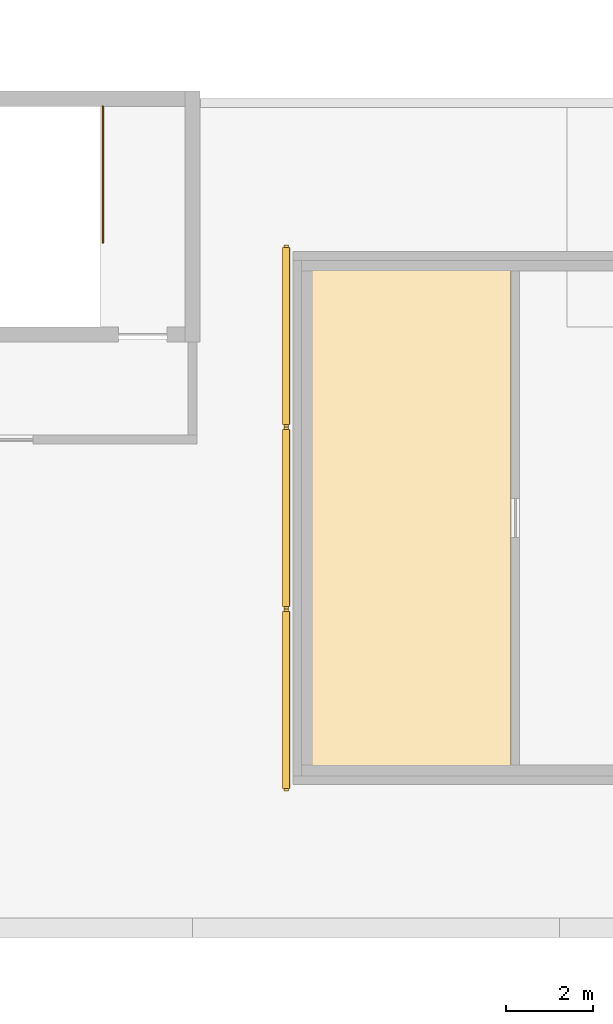
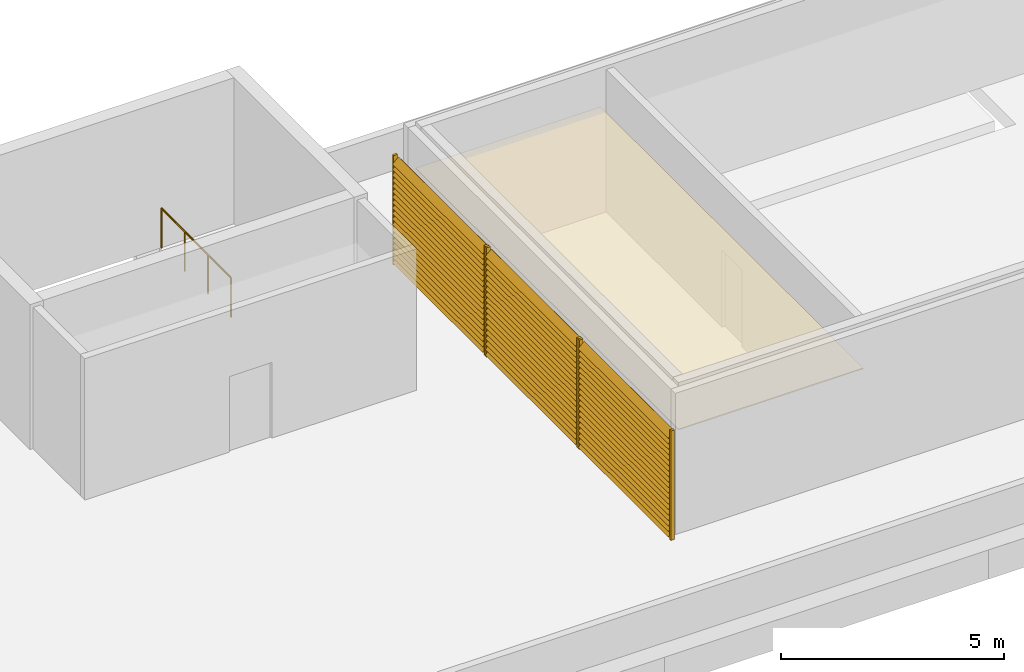
# One storey, part 8 of 13: 63 shading devices, 1 covering, 1 railing.
"""IFC4 building model written with IfcOpenShell, lengths in metres."""

from ifc_helpers import new_model, si_unit, direction, frame, origin, origin_2d, place, context, subcontext, project, spatial, polyline, rectangle, circle, outline, extrude, material, layer, layer_set, material_profile, profile_set, type_object, element, save


model = new_model("IFC4")

# Units and contexts
model_context = context("Model", 3, precision=1e-05, world=origin(), true_north=direction((0.0, 1.0)))
body_context = subcontext(model_context, "Body", "Model", "MODEL_VIEW")
ifc_project = project(units=[si_unit("LENGTHUNIT", "METRE"), si_unit("AREAUNIT", "SQUARE_METRE"), si_unit("VOLUMEUNIT", "CUBIC_METRE"), si_unit("PLANEANGLEUNIT", "RADIAN"), si_unit("MASSUNIT", "GRAM", prefix="KILO")], contexts=[model_context])

# Site, building, storey
site_placement = place(None, origin())
site = spatial("IfcSite", under=ifc_project, at=site_placement, CompositionType="ELEMENT")
building_placement = place(site_placement, origin())
building = spatial("IfcBuilding", under=site, at=building_placement, Name="Bougainvillea Quay General Hospital", CompositionType="ELEMENT")
storey_placement = place(building_placement, frame((0.0, 0.0, 36.60009765625)))
storey = spatial("IfcBuildingStorey", under=building, at=storey_placement, Name="L08", CompositionType="ELEMENT", Elevation=36.60009765625)

# Shading devices
ifc_material_1 = material(Name="Extruded aluminium louvre frame, powder-coated grey", Category="aluminium")
ifc_material_profile_1 = material_profile(ifc_material_1, rectangle(XDim=0.10009765625, YDim=0.06005859375, at=origin_2d()))
ifc_profile_set_1 = profile_set([ifc_material_profile_1], Name="Extruded aluminium louvre frame, powder-coated grey")
shading_device_type_1 = type_object("IfcShadingDeviceType", Name="Louvre frame post 100x60", PredefinedType="JALOUSIE", material=ifc_profile_set_1)
for number, where, z_axis, x_axis, name in (
    (1, (94.550048828125, 156.219970703125, 0.02978515625), (0.0, 0.0, 1.0), (1.0, 0.0, 0.0), "Louvre post V00.1"),
    (2, (94.550048828125, 152.11328125, 0.02978515625), (0.0, 0.0, 1.0), (1.0, 0.0, 0.0), "Louvre post V00.2"),
    (3, (94.550048828125, 152.05322265625, 0.02978515625), (0.0, 0.0, 1.0), (1.0, 0.0, 0.0), "Louvre post V01.1"),
    (4, (94.550048828125, 147.94677734375, 0.02978515625), (0.0, 0.0, 1.0), (1.0, 0.0, 0.0), "Louvre post V01.2"),
    (5, (94.550048828125, 147.88671875, 0.02978515625), (0.0, 0.0, 1.0), (1.0, 0.0, 0.0), "Louvre post V02.1"),
    (6, (94.550048828125, 143.780029296875, 0.02978515625), (0.0, 0.0, 1.0), (1.0, 0.0, 0.0), "Louvre post V02.2"),
):
    element("IfcShadingDevice", number, at=place(storey_placement, frame(where, z_axis=z_axis, x_axis=x_axis)), inside=storey, type_object=shading_device_type_1, Name=name, PredefinedType="JALOUSIE", context=body_context, shape_type="SweptSolid", body=[
        extrude(rectangle(XDim=0.10009765625, YDim=0.06005859375, at=origin_2d()), origin(), (0.0, 0.0, 1.0), 3.0),
    ])

# Railing
ifc_material_2 = material(Name="Stainless steel 304 balustrade", Category="steel")
railing_type = type_object("IfcRailingType", Name="Stair guard 1100", PredefinedType="GUARDRAIL", material=ifc_material_2)
railing_placement = place(storey_placement, frame((90.35009765625, 159.425048828125, 0.0)))
element("IfcRailing", 7, at=railing_placement, inside=storey, type_object=railing_type, Name="L08 ST-A2 top well guard 1", PredefinedType="GUARDRAIL", context=body_context, shape_type="SweptSolid", body=[
    extrude(circle(Radius=0.02392578125, at=origin_2d()), frame((0.0, 0.0, 1.076171875), z_axis=(0.0, -1.0, 0.0), x_axis=(1.0, 0.0, 0.0)), (0.0, 0.0, 1.0), 3.125),
    extrude(circle(Radius=0.02099609375, at=origin_2d()), origin(), (0.0, 0.0, 1.0), 1.052001953125),
    extrude(circle(Radius=0.02099609375, at=origin_2d()), frame((0.0, -1.041748046875, 0.0)), (0.0, 0.0, 1.0), 1.052001953125),
    extrude(circle(Radius=0.02099609375, at=origin_2d()), frame((0.0, -2.083251953125, 0.0)), (0.0, 0.0, 1.0), 1.052001953125),
    extrude(circle(Radius=0.02099609375, at=origin_2d()), frame((0.0, -3.125, 0.0)), (0.0, 0.0, 1.0), 1.052001953125),
])

# Shading devices
ifc_material_3 = material(Name="Extruded aluminium storm louvre blade, powder-coated grey", Category="aluminium")
ifc_material_profile_2 = material_profile(ifc_material_3, rectangle(XDim=0.219970703125, YDim=0.014892578125, at=origin_2d()))
ifc_profile_set_2 = profile_set([ifc_material_profile_2], Name="Extruded aluminium storm louvre blade, powder-coated grey")
shading_device_type_2 = type_object("IfcShadingDeviceType", Name="Storm louvre blade 220", PredefinedType="JALOUSIE", material=ifc_profile_set_2)
for number, where, z_axis, x_axis, name in (
    (8, (94.550048828125, 156.18994140625, 0.179931640625), (0.0, -1.0, 0.0), (0.707106781187, 0.0, 0.707106781187), "Storm louvre blade V00.1"),
    (9, (94.550048828125, 156.18994140625, 0.329833984375), (0.0, -1.0, 0.0), (0.707106781187, 0.0, 0.707106781187), "Storm louvre blade V00.2"),
    (10, (94.550048828125, 156.18994140625, 0.47998046875), (0.0, -1.0, 0.0), (0.707106781187, 0.0, 0.707106781187), "Storm louvre blade V00.3"),
    (11, (94.550048828125, 156.18994140625, 0.6298828125), (0.0, -1.0, 0.0), (0.707106781187, 0.0, 0.707106781187), "Storm louvre blade V00.4"),
    (12, (94.550048828125, 156.18994140625, 0.77978515625), (0.0, -1.0, 0.0), (0.707106781187, 0.0, 0.707106781187), "Storm louvre blade V00.5"),
    (13, (94.550048828125, 156.18994140625, 0.929931640625), (0.0, -1.0, 0.0), (0.707106781187, 0.0, 0.707106781187), "Storm louvre blade V00.6"),
    (14, (94.550048828125, 156.18994140625, 1.079833984375), (0.0, -1.0, 0.0), (0.707106781187, 0.0, 0.707106781187), "Storm louvre blade V00.7"),
    (15, (94.550048828125, 156.18994140625, 1.22998046875), (0.0, -1.0, 0.0), (0.707106781187, 0.0, 0.707106781187), "Storm louvre blade V00.8"),
    (16, (94.550048828125, 156.18994140625, 1.3798828125), (0.0, -1.0, 0.0), (0.707106781187, 0.0, 0.707106781187), "Storm louvre blade V00.9"),
    (17, (94.550048828125, 156.18994140625, 1.52978515625), (0.0, -1.0, 0.0), (0.707106781187, 0.0, 0.707106781187), "Storm louvre blade V00.10"),
    (18, (94.550048828125, 156.18994140625, 1.679931640625), (0.0, -1.0, 0.0), (0.707106781187, 0.0, 0.707106781187), "Storm louvre blade V00.11"),
    (19, (94.550048828125, 156.18994140625, 1.829833984375), (0.0, -1.0, 0.0), (0.707106781187, 0.0, 0.707106781187), "Storm louvre blade V00.12"),
    (20, (94.550048828125, 156.18994140625, 1.97998046875), (0.0, -1.0, 0.0), (0.707106781187, 0.0, 0.707106781187), "Storm louvre blade V00.13"),
    (21, (94.550048828125, 156.18994140625, 2.1298828125), (0.0, -1.0, 0.0), (0.707106781187, 0.0, 0.707106781187), "Storm louvre blade V00.14"),
    (22, (94.550048828125, 156.18994140625, 2.27978515625), (0.0, -1.0, 0.0), (0.707106781187, 0.0, 0.707106781187), "Storm louvre blade V00.15"),
    (23, (94.550048828125, 156.18994140625, 2.429931640625), (0.0, -1.0, 0.0), (0.707106781187, 0.0, 0.707106781187), "Storm louvre blade V00.16"),
    (24, (94.550048828125, 156.18994140625, 2.579833984375), (0.0, -1.0, 0.0), (0.707106781187, 0.0, 0.707106781187), "Storm louvre blade V00.17"),
    (25, (94.550048828125, 156.18994140625, 2.72998046875), (0.0, -1.0, 0.0), (0.707106781187, 0.0, 0.707106781187), "Storm louvre blade V00.18"),
    (26, (94.550048828125, 156.18994140625, 2.8798828125), (0.0, -1.0, 0.0), (0.707106781187, 0.0, 0.707106781187), "Storm louvre blade V00.19"),
):
    element("IfcShadingDevice", number, at=place(storey_placement, frame(where, z_axis=z_axis, x_axis=x_axis)), inside=storey, type_object=shading_device_type_2, Name=name, PredefinedType="JALOUSIE", context=body_context, shape_type="SweptSolid", body=[
        extrude(rectangle(XDim=0.219970703125, YDim=0.014892578125, at=origin_2d()), origin(), (0.0, 0.0, 1.0), 4.046630859375),
    ])
for number, where, z_axis, x_axis, name in (
    (27, (94.550048828125, 152.0234375, 0.179931640625), (0.0, -1.0, 0.0), (0.707106781187, 0.0, 0.707106781187), "Storm louvre blade V01.1"),
    (28, (94.550048828125, 152.0234375, 0.329833984375), (0.0, -1.0, 0.0), (0.707106781187, 0.0, 0.707106781187), "Storm louvre blade V01.2"),
    (29, (94.550048828125, 152.0234375, 0.47998046875), (0.0, -1.0, 0.0), (0.707106781187, 0.0, 0.707106781187), "Storm louvre blade V01.3"),
    (30, (94.550048828125, 152.0234375, 0.6298828125), (0.0, -1.0, 0.0), (0.707106781187, 0.0, 0.707106781187), "Storm louvre blade V01.4"),
    (31, (94.550048828125, 152.0234375, 0.77978515625), (0.0, -1.0, 0.0), (0.707106781187, 0.0, 0.707106781187), "Storm louvre blade V01.5"),
    (32, (94.550048828125, 152.0234375, 0.929931640625), (0.0, -1.0, 0.0), (0.707106781187, 0.0, 0.707106781187), "Storm louvre blade V01.6"),
    (33, (94.550048828125, 152.0234375, 1.079833984375), (0.0, -1.0, 0.0), (0.707106781187, 0.0, 0.707106781187), "Storm louvre blade V01.7"),
    (34, (94.550048828125, 152.0234375, 1.22998046875), (0.0, -1.0, 0.0), (0.707106781187, 0.0, 0.707106781187), "Storm louvre blade V01.8"),
    (35, (94.550048828125, 152.0234375, 1.3798828125), (0.0, -1.0, 0.0), (0.707106781187, 0.0, 0.707106781187), "Storm louvre blade V01.9"),
    (36, (94.550048828125, 152.0234375, 1.52978515625), (0.0, -1.0, 0.0), (0.707106781187, 0.0, 0.707106781187), "Storm louvre blade V01.10"),
    (37, (94.550048828125, 152.0234375, 1.679931640625), (0.0, -1.0, 0.0), (0.707106781187, 0.0, 0.707106781187), "Storm louvre blade V01.11"),
    (38, (94.550048828125, 152.0234375, 1.829833984375), (0.0, -1.0, 0.0), (0.707106781187, 0.0, 0.707106781187), "Storm louvre blade V01.12"),
    (39, (94.550048828125, 152.0234375, 1.97998046875), (0.0, -1.0, 0.0), (0.707106781187, 0.0, 0.707106781187), "Storm louvre blade V01.13"),
    (40, (94.550048828125, 152.0234375, 2.1298828125), (0.0, -1.0, 0.0), (0.707106781187, 0.0, 0.707106781187), "Storm louvre blade V01.14"),
    (41, (94.550048828125, 152.0234375, 2.27978515625), (0.0, -1.0, 0.0), (0.707106781187, 0.0, 0.707106781187), "Storm louvre blade V01.15"),
    (42, (94.550048828125, 152.0234375, 2.429931640625), (0.0, -1.0, 0.0), (0.707106781187, 0.0, 0.707106781187), "Storm louvre blade V01.16"),
    (43, (94.550048828125, 152.0234375, 2.579833984375), (0.0, -1.0, 0.0), (0.707106781187, 0.0, 0.707106781187), "Storm louvre blade V01.17"),
    (44, (94.550048828125, 152.0234375, 2.72998046875), (0.0, -1.0, 0.0), (0.707106781187, 0.0, 0.707106781187), "Storm louvre blade V01.18"),
    (45, (94.550048828125, 152.0234375, 2.8798828125), (0.0, -1.0, 0.0), (0.707106781187, 0.0, 0.707106781187), "Storm louvre blade V01.19"),
):
    element("IfcShadingDevice", number, at=place(storey_placement, frame(where, z_axis=z_axis, x_axis=x_axis)), inside=storey, type_object=shading_device_type_2, Name=name, PredefinedType="JALOUSIE", context=body_context, shape_type="SweptSolid", body=[
        extrude(rectangle(XDim=0.219970703125, YDim=0.014892578125, at=origin_2d()), origin(), (0.0, 0.0, 1.0), 4.046875),
    ])
for number, where, z_axis, x_axis, name in (
    (46, (94.550048828125, 147.856689453125, 0.179931640625), (0.0, -1.0, 0.0), (0.707106781187, 0.0, 0.707106781187), "Storm louvre blade V02.1"),
    (47, (94.550048828125, 147.856689453125, 0.329833984375), (0.0, -1.0, 0.0), (0.707106781187, 0.0, 0.707106781187), "Storm louvre blade V02.2"),
    (48, (94.550048828125, 147.856689453125, 0.47998046875), (0.0, -1.0, 0.0), (0.707106781187, 0.0, 0.707106781187), "Storm louvre blade V02.3"),
    (49, (94.550048828125, 147.856689453125, 0.6298828125), (0.0, -1.0, 0.0), (0.707106781187, 0.0, 0.707106781187), "Storm louvre blade V02.4"),
    (50, (94.550048828125, 147.856689453125, 0.77978515625), (0.0, -1.0, 0.0), (0.707106781187, 0.0, 0.707106781187), "Storm louvre blade V02.5"),
    (51, (94.550048828125, 147.856689453125, 0.929931640625), (0.0, -1.0, 0.0), (0.707106781187, 0.0, 0.707106781187), "Storm louvre blade V02.6"),
    (52, (94.550048828125, 147.856689453125, 1.079833984375), (0.0, -1.0, 0.0), (0.707106781187, 0.0, 0.707106781187), "Storm louvre blade V02.7"),
    (53, (94.550048828125, 147.856689453125, 1.22998046875), (0.0, -1.0, 0.0), (0.707106781187, 0.0, 0.707106781187), "Storm louvre blade V02.8"),
    (54, (94.550048828125, 147.856689453125, 1.3798828125), (0.0, -1.0, 0.0), (0.707106781187, 0.0, 0.707106781187), "Storm louvre blade V02.9"),
    (55, (94.550048828125, 147.856689453125, 1.52978515625), (0.0, -1.0, 0.0), (0.707106781187, 0.0, 0.707106781187), "Storm louvre blade V02.10"),
    (56, (94.550048828125, 147.856689453125, 1.679931640625), (0.0, -1.0, 0.0), (0.707106781187, 0.0, 0.707106781187), "Storm louvre blade V02.11"),
    (57, (94.550048828125, 147.856689453125, 1.829833984375), (0.0, -1.0, 0.0), (0.707106781187, 0.0, 0.707106781187), "Storm louvre blade V02.12"),
    (58, (94.550048828125, 147.856689453125, 1.97998046875), (0.0, -1.0, 0.0), (0.707106781187, 0.0, 0.707106781187), "Storm louvre blade V02.13"),
    (59, (94.550048828125, 147.856689453125, 2.1298828125), (0.0, -1.0, 0.0), (0.707106781187, 0.0, 0.707106781187), "Storm louvre blade V02.14"),
    (60, (94.550048828125, 147.856689453125, 2.27978515625), (0.0, -1.0, 0.0), (0.707106781187, 0.0, 0.707106781187), "Storm louvre blade V02.15"),
    (61, (94.550048828125, 147.856689453125, 2.429931640625), (0.0, -1.0, 0.0), (0.707106781187, 0.0, 0.707106781187), "Storm louvre blade V02.16"),
    (62, (94.550048828125, 147.856689453125, 2.579833984375), (0.0, -1.0, 0.0), (0.707106781187, 0.0, 0.707106781187), "Storm louvre blade V02.17"),
    (63, (94.550048828125, 147.856689453125, 2.72998046875), (0.0, -1.0, 0.0), (0.707106781187, 0.0, 0.707106781187), "Storm louvre blade V02.18"),
    (64, (94.550048828125, 147.856689453125, 2.8798828125), (0.0, -1.0, 0.0), (0.707106781187, 0.0, 0.707106781187), "Storm louvre blade V02.19"),
):
    element("IfcShadingDevice", number, at=place(storey_placement, frame(where, z_axis=z_axis, x_axis=x_axis)), inside=storey, type_object=shading_device_type_2, Name=name, PredefinedType="JALOUSIE", context=body_context, shape_type="SweptSolid", body=[
        extrude(rectangle(XDim=0.219970703125, YDim=0.014892578125, at=origin_2d()), origin(), (0.0, 0.0, 1.0), 4.046630859375),
    ])

# Covering
ifc_material_4 = material(Name="Mineral fibre ceiling tile")
ifc_layer = layer(ifc_material_4, 0.030029296875)
ifc_layer_set = layer_set([ifc_layer], Name="Mineral fibre ceiling tile")
covering_type = type_object("IfcCoveringType", Name="Suspended ceiling mineral fibre tile", PredefinedType="CEILING", material=ifc_layer_set)
covering_placement = place(storey_placement, frame((0.0, 0.0, 2.699951171875)))
element("IfcCovering", 65, at=covering_placement, inside=storey, type_object=covering_type, Name="Ceiling Lift Machine Room", PredefinedType="CEILING", context=body_context, shape_type="SweptSolid", body=[
    extrude(outline(polyline([(99.69189453125, 144.10009765625), (99.69189453125, 155.89990234375), (94.89990234375, 155.89990234375), (94.89990234375, 144.10009765625), (99.69189453125, 144.10009765625)])), origin(), (0.0, 0.0, 1.0), 0.030029296875),
])

save(model, "model.ifc")
